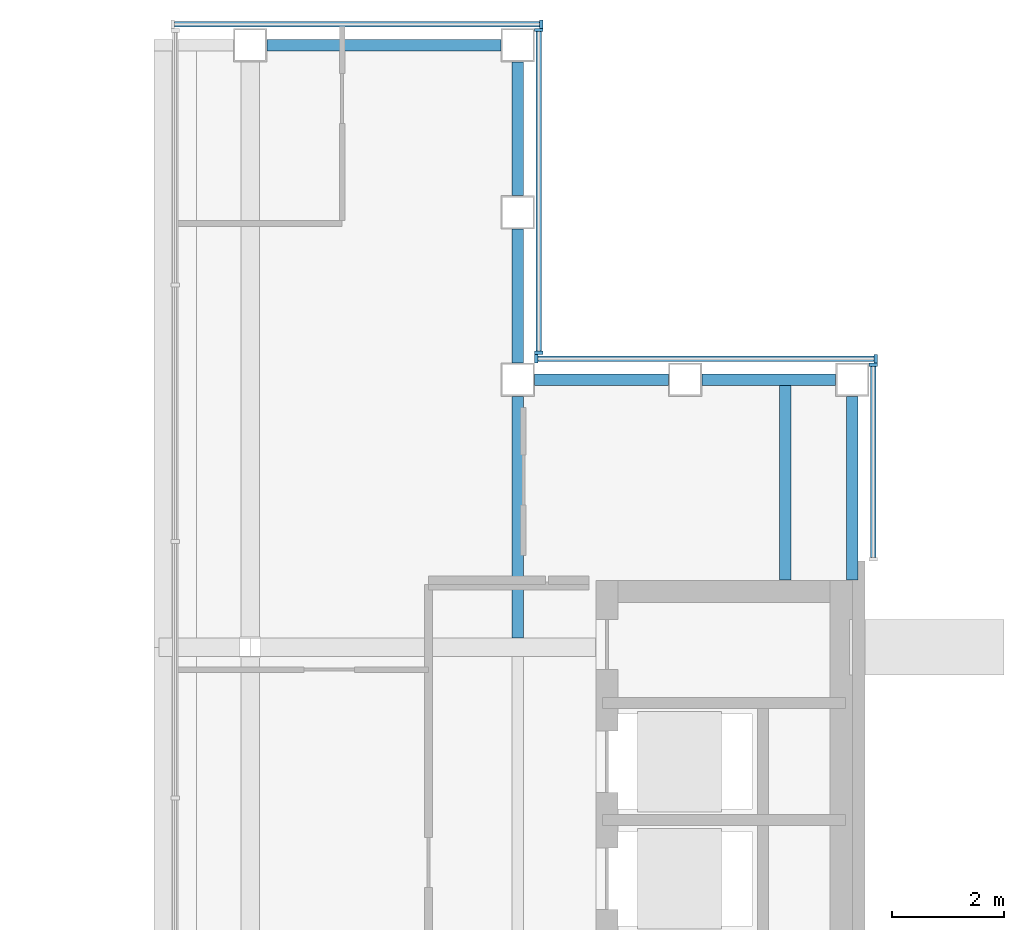
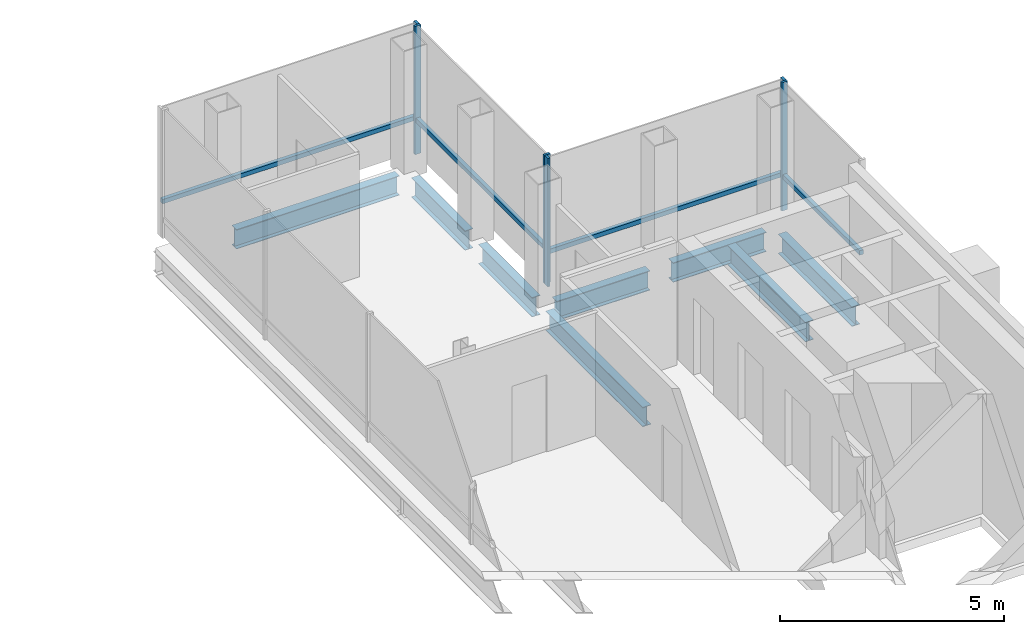
# One storey, part 9 of 16: 10 members, 8 beams, 4 elements without a shape of their own.
"""IFC4 building model written with IfcOpenShell, lengths in metres."""

from ifc_helpers import new_model, si_unit, direction, frame, origin, origin_2d, place, context, subcontext, project, spatial, rectangle, i_section, extrude, material, material_profile, profile_set, type_object, element, aggregate, save


model = new_model("IFC4")

# Units and contexts
model_context = context("Model", 3, precision=1e-05, world=origin(), true_north=direction((0.0, 1.0)))
body_context = subcontext(model_context, "Body", "Model", "MODEL_VIEW")
ifc_project = project(units=[si_unit("LENGTHUNIT", "METRE"), si_unit("AREAUNIT", "SQUARE_METRE"), si_unit("VOLUMEUNIT", "CUBIC_METRE"), si_unit("PLANEANGLEUNIT", "RADIAN"), si_unit("MASSUNIT", "GRAM", prefix="KILO")], contexts=[model_context])

# Site, building, storey
site_placement = place(None, origin())
site = spatial("IfcSite", under=ifc_project, at=site_placement, CompositionType="ELEMENT")
building_placement = place(site_placement, origin())
building = spatial("IfcBuilding", under=site, at=building_placement, Name="Cobrizo Arcos Hotel Tower", CompositionType="ELEMENT")
storey_placement = place(building_placement, frame((0.0, 0.0, 272.5)))
storey = spatial("IfcBuildingStorey", under=building, at=storey_placement, Name="L72", CompositionType="ELEMENT", Elevation=272.5)

# Curtain wall, member
ifc_material_1 = material(Name="Aluminium 6063-T6 anodised bronze", Category="aluminium")
curtain_wall_type = type_object("IfcCurtainWallType", Name="CW-A guest facade", PredefinedType="NOTDEFINED", material=ifc_material_1)
curtain_wall_1_placement = place(storey_placement, origin())
curtain_wall_1 = element("IfcCurtainWall", 1, at=curtain_wall_1_placement, inside=storey, type_object=curtain_wall_type, Name="CW-A L72 N face", PredefinedType="NOTDEFINED")
ifc_material_profile_1 = material_profile(ifc_material_1, rectangle(XDim=0.14990234375, YDim=0.06005859375, at=origin_2d()), Name="CW-A mullion 150x60")
ifc_profile_set_1 = profile_set([ifc_material_profile_1], Name="Aluminium 6063-T6 anodised bronze")
member_type_1 = type_object("IfcMemberType", Name="CW-A mullion 150x60", PredefinedType="MULLION", material=ifc_profile_set_1)
member_1_placement = place(storey_placement, frame((14.820068359375, 20.77490234375, 0.0), z_axis=(0.0, 0.0, 1.0), x_axis=(0.0, 1.0, 0.0)))
member_1 = element("IfcMember", 2, at=member_1_placement, type_object=member_type_1, Name="CW-A mullion 1", PredefinedType="MULLION", context=body_context, shape_type="SweptSolid", body=[
    extrude(rectangle(XDim=0.14990234375, YDim=0.06005859375, at=origin_2d()), origin(), (0.0, 0.0, 1.0), 3.5),
])

curtain_wall_2_placement = place(storey_placement, origin())
curtain_wall_2 = element("IfcCurtainWall", 3, at=curtain_wall_2_placement, inside=storey, type_object=curtain_wall_type, Name="CW-A L72 E face", PredefinedType="NOTDEFINED")
member_2_placement = place(storey_placement, frame((20.77490234375, 14.669921875, 0.0), z_axis=(0.0, 0.0, 1.0), x_axis=(1.0, 0.0, 0.0)))
member_2 = element("IfcMember", 4, at=member_2_placement, type_object=member_type_1, Name="CW-A mullion 2", PredefinedType="MULLION", context=body_context, shape_type="SweptSolid", body=[
    extrude(rectangle(XDim=0.14990234375, YDim=0.06005859375, at=origin_2d()), origin(), (0.0, 0.0, 1.0), 3.5),
])

# Curtain wall, members
curtain_wall_3_placement = place(storey_placement, origin())
curtain_wall_3 = element("IfcCurtainWall", 5, at=curtain_wall_3_placement, inside=storey, type_object=curtain_wall_type, Name="CW-A L72 N face", PredefinedType="NOTDEFINED")
member_3_placement = place(storey_placement, frame((20.820068359375, 14.77490234375, 0.0), z_axis=(0.0, 0.0, 1.0), x_axis=(0.0, 1.0, 0.0)))
member_3 = element("IfcMember", 6, at=member_3_placement, type_object=member_type_1, Name="CW-A mullion 1", PredefinedType="MULLION", context=body_context, shape_type="SweptSolid", body=[
    extrude(rectangle(XDim=0.14990234375, YDim=0.06005859375, at=origin_2d()), origin(), (0.0, 0.0, 1.0), 3.5),
])
member_4_placement = place(storey_placement, frame((14.72998046875, 14.77490234375, 0.0), z_axis=(0.0, 0.0, 1.0), x_axis=(0.0, 1.0, 0.0)))
member_4 = element("IfcMember", 7, at=member_4_placement, type_object=member_type_1, Name="CW-A mullion 2", PredefinedType="MULLION", context=body_context, shape_type="SweptSolid", body=[
    extrude(rectangle(XDim=0.14990234375, YDim=0.06005859375, at=origin_2d()), origin(), (0.0, 0.0, 1.0), 3.5),
])

curtain_wall_4_placement = place(storey_placement, origin())
curtain_wall_4 = element("IfcCurtainWall", 8, at=curtain_wall_4_placement, inside=storey, type_object=curtain_wall_type, Name="CW-A L72 E face", PredefinedType="NOTDEFINED")
member_5_placement = place(storey_placement, frame((14.77490234375, 14.8798828125, 0.0), z_axis=(0.0, 0.0, 1.0), x_axis=(1.0, 0.0, 0.0)))
member_5 = element("IfcMember", 9, at=member_5_placement, type_object=member_type_1, Name="CW-A mullion 1", PredefinedType="MULLION", context=body_context, shape_type="SweptSolid", body=[
    extrude(rectangle(XDim=0.14990234375, YDim=0.06005859375, at=origin_2d()), origin(), (0.0, 0.0, 1.0), 3.5),
])
member_6_placement = place(storey_placement, frame((14.77490234375, 20.669921875, 0.0), z_axis=(0.0, 0.0, 1.0), x_axis=(1.0, 0.0, 0.0)))
member_6 = element("IfcMember", 10, at=member_6_placement, type_object=member_type_1, Name="CW-A mullion 2", PredefinedType="MULLION", context=body_context, shape_type="SweptSolid", body=[
    extrude(rectangle(XDim=0.14990234375, YDim=0.06005859375, at=origin_2d()), origin(), (0.0, 0.0, 1.0), 3.5),
])

# Member
ifc_material_profile_2 = material_profile(ifc_material_1, rectangle(XDim=0.10009765625, YDim=0.1201171875, at=origin_2d()), Name="CW-A transom 120x100")
ifc_profile_set_2 = profile_set([ifc_material_profile_2], Name="Aluminium 6063-T6 anodised bronze")
member_type_2 = type_object("IfcMemberType", Name="CW-A transom 120x100", PredefinedType="USERDEFINED", material=ifc_profile_set_2)
member_7_placement = place(storey_placement, frame((14.7900390625, 20.77490234375, 0.929931640625), z_axis=(-1.0, 0.0, 0.0), x_axis=(0.0, -1.0, 0.0)))
member_7 = element("IfcMember", 11, at=member_7_placement, type_object=member_type_2, Name="CW-A transom 2256", ObjectType="TRANSOM", PredefinedType="USERDEFINED", context=body_context, shape_type="SweptSolid", body=[
    extrude(rectangle(XDim=0.10009765625, YDim=0.1201171875, at=origin_2d()), origin(), (0.0, 0.0, 1.0), 6.545166015625),
])

aggregate(curtain_wall_1, [member_1, member_7])

member_8_placement = place(storey_placement, frame((20.77490234375, 11.2099609375, 0.929931640625), z_axis=(0.0, 1.0, 0.0), x_axis=(-1.0, 0.0, 0.0)))
member_8 = element("IfcMember", 12, at=member_8_placement, type_object=member_type_2, Name="CW-A transom 2270", ObjectType="TRANSOM", PredefinedType="USERDEFINED", context=body_context, shape_type="SweptSolid", body=[
    extrude(rectangle(XDim=0.10009765625, YDim=0.1201171875, at=origin_2d()), origin(), (0.0, 0.0, 1.0), 3.429931640625),
])

aggregate(curtain_wall_2, [member_2, member_8])

member_9_placement = place(storey_placement, frame((20.7900390625, 14.77490234375, 0.929931640625), z_axis=(-1.0, 0.0, 0.0), x_axis=(0.0, -1.0, 0.0)))
member_9 = element("IfcMember", 13, at=member_9_placement, type_object=member_type_2, Name="CW-A transom 2271", ObjectType="TRANSOM", PredefinedType="USERDEFINED", context=body_context, shape_type="SweptSolid", body=[
    extrude(rectangle(XDim=0.10009765625, YDim=0.1201171875, at=origin_2d()), origin(), (0.0, 0.0, 1.0), 6.030029296875),
])

aggregate(curtain_wall_3, [member_3, member_4, member_9])

member_10_placement = place(storey_placement, frame((14.77490234375, 14.909912109375, 0.929931640625), z_axis=(0.0, 1.0, 0.0), x_axis=(-1.0, 0.0, 0.0)))
member_10 = element("IfcMember", 14, at=member_10_placement, type_object=member_type_2, Name="CW-A transom 2272", ObjectType="TRANSOM", PredefinedType="USERDEFINED", context=body_context, shape_type="SweptSolid", body=[
    extrude(rectangle(XDim=0.10009765625, YDim=0.1201171875, at=origin_2d()), origin(), (0.0, 0.0, 1.0), 5.72998046875),
])

aggregate(curtain_wall_4, [member_5, member_6, member_10])

# Beams
ifc_material_2 = material(Name="Steel ASTM A992 Grade 50", Category="steel")
ifc_material_profile_3 = material_profile(ifc_material_2, i_section(OverallWidth=0.209228515625, OverallDepth=0.533447265625, WebThickness=0.01025390625, FlangeThickness=0.015625, at=origin_2d()), Name="W21X62")
ifc_profile_set_3 = profile_set([ifc_material_profile_3], Name="Steel ASTM A992 Grade 50")
beam_type_1 = type_object("IfcBeamType", Name="W21X62 joist", PredefinedType="JOIST", material=ifc_profile_set_3)
beam_1_placement = place(storey_placement, frame((14.39990234375, 9.763916015625, -0.416748046875), z_axis=(0.0, 1.0, 0.0), x_axis=(-1.0, 0.0, 0.0)))
element("IfcBeam", 15, at=beam_1_placement, inside=storey, type_object=beam_type_1, Name="Floor joist J1, L72, no. 010", PredefinedType="JOIST", context=body_context, shape_type="SweptSolid", body=[
    extrude(i_section(OverallWidth=0.209228515625, OverallDepth=0.533447265625, WebThickness=0.01025390625, FlangeThickness=0.015625, at=origin_2d()), origin(), (0.0, 0.0, 1.0), 4.336181640625),
])
beam_2_placement = place(storey_placement, frame((19.199951171875, 10.81005859375, -0.416748046875), z_axis=(0.0, 1.0, 0.0), x_axis=(-1.0, 0.0, 0.0)))
element("IfcBeam", 16, at=beam_2_placement, inside=storey, type_object=beam_type_1, Name="Floor joist J1, L72, no. 012", PredefinedType="JOIST", context=body_context, shape_type="SweptSolid", body=[
    extrude(i_section(OverallWidth=0.209228515625, OverallDepth=0.533447265625, WebThickness=0.01025390625, FlangeThickness=0.015625, at=origin_2d()), origin(), (0.0, 0.0, 1.0), 3.5),
])
ifc_material_profile_4 = material_profile(ifc_material_2, i_section(OverallWidth=0.209228515625, OverallDepth=0.533447265625, WebThickness=0.01025390625, FlangeThickness=0.015625, at=origin_2d()), Name="W21X62")
ifc_profile_set_4 = profile_set([ifc_material_profile_4], Name="Steel ASTM A992 Grade 50")
beam_type_2 = type_object("IfcBeamType", Name="W21X62 spandrel", PredefinedType="SPANDREL", material=ifc_profile_set_4)
beam_3_placement = place(storey_placement, frame((9.89990234375, 20.39990234375, -0.416748046875), z_axis=(1.0, 0.0, 0.0), x_axis=(0.0, 1.0, 0.0)))
element("IfcBeam", 17, at=beam_3_placement, inside=storey, type_object=beam_type_2, Name="Spandrel beam W21X62, L72, no. 016", PredefinedType="SPANDREL", context=body_context, shape_type="SweptSolid", body=[
    extrude(i_section(OverallWidth=0.209228515625, OverallDepth=0.533447265625, WebThickness=0.01025390625, FlangeThickness=0.015625, at=origin_2d()), origin(), (0.0, 0.0, 1.0), 4.2001953125),
])
for number, where, z_axis, x_axis, name in (
    (18, (14.39990234375, 20.10009765625, -0.416748046875), (0.0, -1.0, 0.0), (1.0, 0.0, 0.0), "Spandrel beam W21X62, L72, no. 017"),
    (19, (14.39990234375, 17.10009765625, -0.416748046875), (0.0, -1.0, 0.0), (1.0, 0.0, 0.0), "Spandrel beam W21X62, L72, no. 018"),
    (20, (14.699951171875, 14.39990234375, -0.416748046875), (1.0, 0.0, 0.0), (0.0, 1.0, 0.0), "Spandrel beam W21X62, L72, no. 019"),
    (21, (17.699951171875, 14.39990234375, -0.416748046875), (1.0, 0.0, 0.0), (0.0, 1.0, 0.0), "Spandrel beam W21X62, L72, no. 020"),
):
    element("IfcBeam", number, at=place(storey_placement, frame(where, z_axis=z_axis, x_axis=x_axis)), inside=storey, type_object=beam_type_2, Name=name, PredefinedType="SPANDREL", context=body_context, shape_type="SweptSolid", body=[
        extrude(i_section(OverallWidth=0.209228515625, OverallDepth=0.533447265625, WebThickness=0.01025390625, FlangeThickness=0.015625, at=origin_2d()), origin(), (0.0, 0.0, 1.0), 2.400146484375),
    ])
beam_4_placement = place(storey_placement, frame((20.39990234375, 14.10009765625, -0.416748046875), z_axis=(0.0, -1.0, 0.0), x_axis=(1.0, 0.0, 0.0)))
element("IfcBeam", 22, at=beam_4_placement, inside=storey, type_object=beam_type_2, Name="Spandrel beam W21X62, L72, no. 021", PredefinedType="SPANDREL", context=body_context, shape_type="SweptSolid", body=[
    extrude(i_section(OverallWidth=0.209228515625, OverallDepth=0.533447265625, WebThickness=0.01025390625, FlangeThickness=0.015625, at=origin_2d()), origin(), (0.0, 0.0, 1.0), 3.2900390625),
])

save(model, "model.ifc")
